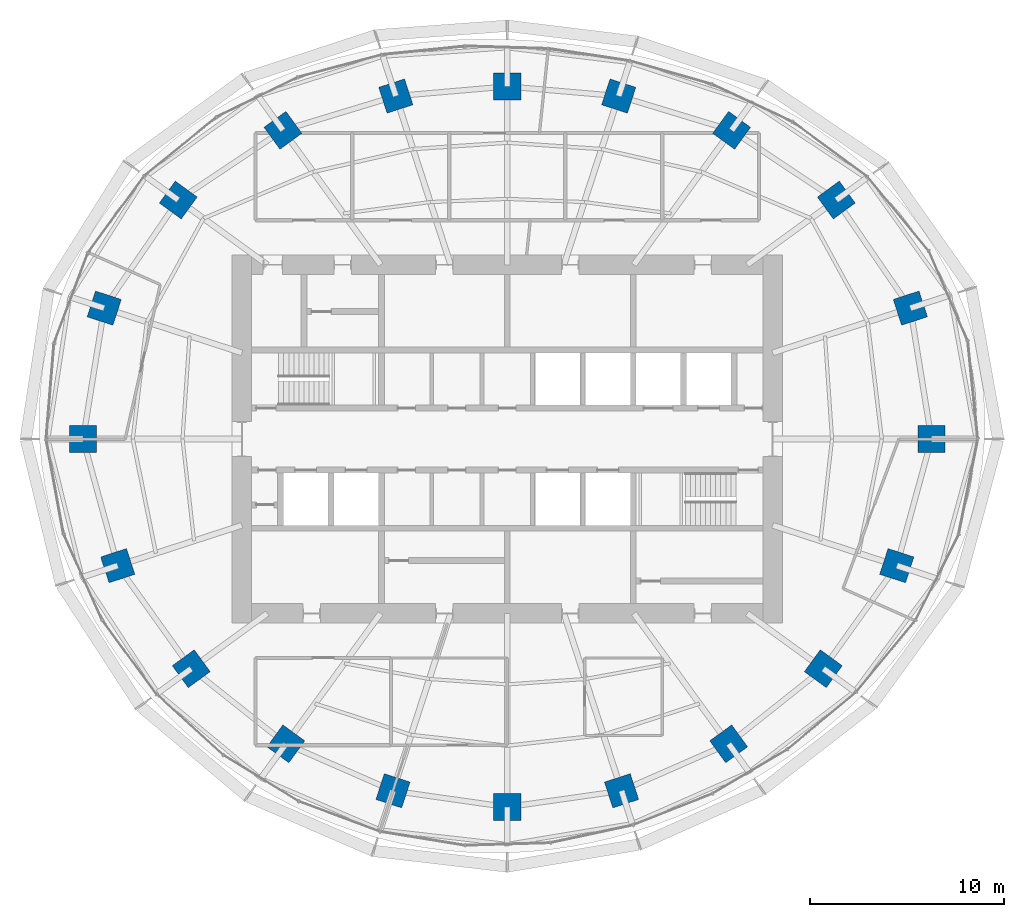
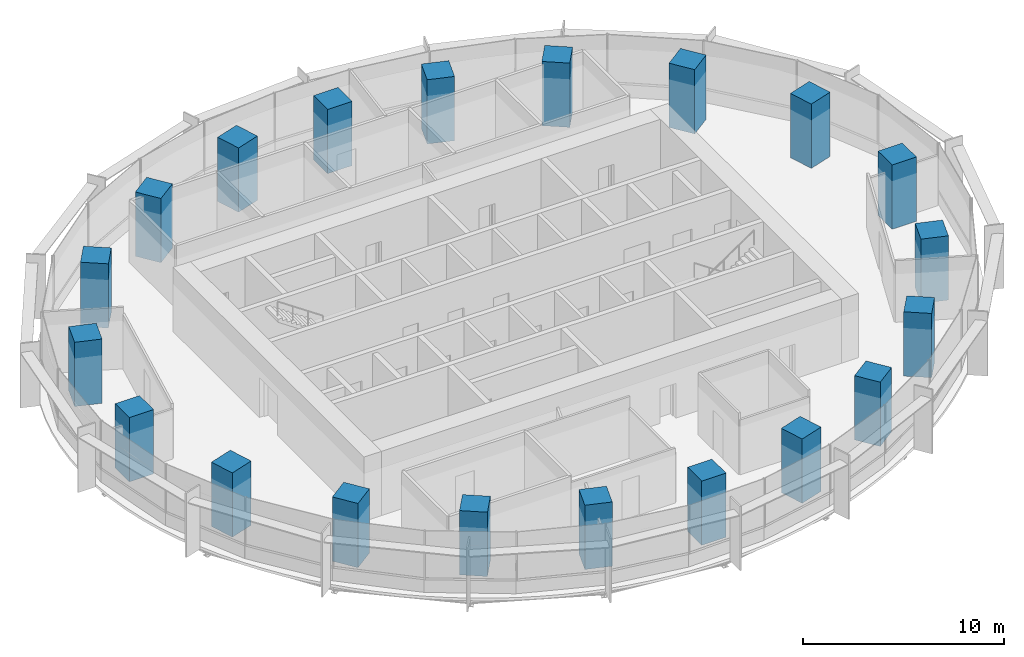
# One storey, part 1 of 14: 20 columns.
"""IFC4 building model written with IfcOpenShell, lengths in metres."""

from ifc_helpers import new_model, si_unit, direction, frame, origin, origin_2d, place, context, subcontext, project, spatial, rectangle, extrude, material, material_profile, profile_set, type_object, element, save


model = new_model("IFC4")

# Units and contexts
model_context = context("Model", 3, precision=1e-05, world=origin(), true_north=direction((0.0, 1.0)))
body_context = subcontext(model_context, "Body", "Model", "MODEL_VIEW")
ifc_project = project(units=[si_unit("LENGTHUNIT", "METRE"), si_unit("AREAUNIT", "SQUARE_METRE"), si_unit("VOLUMEUNIT", "CUBIC_METRE"), si_unit("PLANEANGLEUNIT", "RADIAN"), si_unit("MASSUNIT", "GRAM", prefix="KILO")], contexts=[model_context])

# Site, building, storey
site_placement = place(None, origin())
site = spatial("IfcSite", under=ifc_project, at=site_placement, CompositionType="ELEMENT")
building_placement = place(site_placement, origin())
building = spatial("IfcBuilding", under=site, at=building_placement, Name="Marramba Exchange Tower", CompositionType="ELEMENT")
storey_placement = place(building_placement, frame((0.0, 0.0, 238.39990234375)))
storey = spatial("IfcBuildingStorey", under=building, at=storey_placement, Name="L58", CompositionType="ELEMENT", Elevation=238.39990234375)

# Columns
ifc_material = material(Name="Concrete N50", Category="concrete")
ifc_material_profile = material_profile(ifc_material, rectangle(XDim=1.39990234375, YDim=1.39990234375, at=origin_2d()), Name="RC 1400x1400")
ifc_profile_set = profile_set([ifc_material_profile], Name="Concrete N50")
column_type = type_object("IfcColumnType", Name="Perimeter column RC 1400x1400 N50", PredefinedType="COLUMN", material=ifc_profile_set)
for number, where, z_axis, x_axis, name in (
    (1, (21.89990234375, 0.0, 0.0), (0.0, 0.0, 1.0), (1.0, 0.0, 0.0), "Column TC01 L58"),
    (2, (20.808349609375, 6.760986328125, 0.0), (0.0, 0.0, 1.0), (0.951056516295, 0.309016994375, 0.0), "Column TC02 L58"),
    (3, (16.98583984375, 12.3408203125, 0.0), (0.0, 0.0, 1.0), (0.809016994375, 0.587785252292, 0.0), "Column TC03 L58"),
    (4, (11.581298828125, 15.9404296875, 0.0), (0.0, 0.0, 1.0), (0.587785252292, 0.809016994375, 0.0), "Column TC04 L58"),
    (5, (5.75390625, 17.70849609375, 0.0), (0.0, 0.0, 1.0), (0.309016994375, 0.951056516295, 0.0), "Column TC05 L58"),
    (6, (0.0, 18.2041015625, 0.0), (0.0, 0.0, 1.0), (0.0, 1.0, 0.0), "Column TC06 L58"),
    (7, (-5.75390625, 17.70849609375, 0.0), (0.0, 0.0, 1.0), (-0.309016994375, 0.951056516295, 0.0), "Column TC07 L58"),
    (8, (-11.581298828125, 15.9404296875, 0.0), (0.0, 0.0, 1.0), (-0.587785252292, 0.809016994375, 0.0), "Column TC08 L58"),
    (9, (-16.98583984375, 12.3408203125, 0.0), (0.0, 0.0, 1.0), (-0.809016994375, 0.587785252292, 0.0), "Column TC09 L58"),
    (10, (-20.808349609375, 6.760986328125, 0.0), (0.0, 0.0, 1.0), (-0.951056516295, 0.309016994375, 0.0), "Column TC10 L58"),
    (11, (-21.89990234375, 0.0, 0.0), (0.0, 0.0, 1.0), (-1.0, 0.0, 0.0), "Column TC11 L58"),
    (12, (-20.109375, -6.533935546875, 0.0), (0.0, 0.0, 1.0), (-0.951056516295, -0.309016994375, 0.0), "Column TC12 L58"),
    (13, (-16.3154296875, -11.853759765625, 0.0), (0.0, 0.0, 1.0), (-0.809016994375, -0.587785252292, 0.0), "Column TC13 L58"),
    (14, (-11.430419921875, -15.732666015625, 0.0), (0.0, 0.0, 1.0), (-0.587785252292, -0.809016994375, 0.0), "Column TC14 L58"),
    (15, (-5.899658203125, -18.156982421875, 0.0), (0.0, 0.0, 1.0), (-0.309016994375, -0.951056516295, 0.0), "Column TC15 L58"),
    (16, (0.0, -18.99609375, 0.0), (0.0, 0.0, 1.0), (0.0, -1.0, 0.0), "Column TC16 L58"),
    (17, (5.899658203125, -18.156982421875, 0.0), (0.0, 0.0, 1.0), (0.309016994375, -0.951056516295, 0.0), "Column TC17 L58"),
    (18, (11.430419921875, -15.732666015625, 0.0), (0.0, 0.0, 1.0), (0.587785252292, -0.809016994375, 0.0), "Column TC18 L58"),
    (19, (16.3154296875, -11.853759765625, 0.0), (0.0, 0.0, 1.0), (0.809016994375, -0.587785252292, 0.0), "Column TC19 L58"),
    (20, (20.109375, -6.533935546875, 0.0), (0.0, 0.0, 1.0), (0.951056516295, -0.309016994375, 0.0), "Column TC20 L58"),
):
    element("IfcColumn", number, at=place(storey_placement, frame(where, z_axis=z_axis, x_axis=x_axis)), inside=storey, type_object=column_type, Name=name, PredefinedType="COLUMN", context=body_context, shape_type="SweptSolid", body=[
        extrude(rectangle(XDim=1.39990234375, YDim=1.39990234375, at=origin_2d()), origin(), (0.0, 0.0, 1.0), 3.900146484375),
    ])

save(model, "model.ifc")
